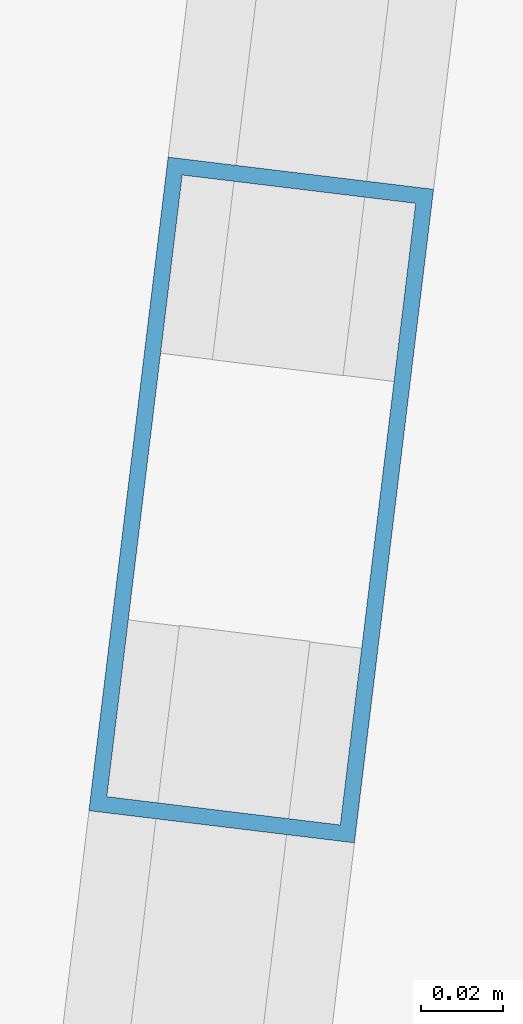
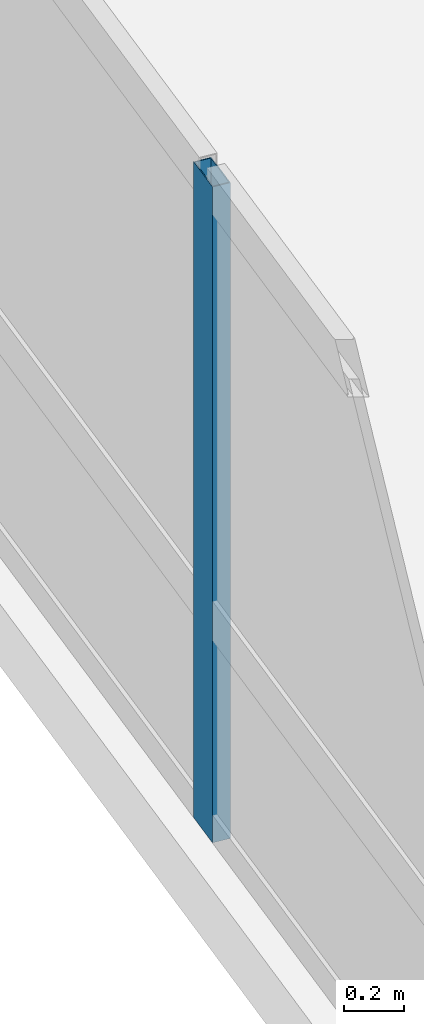
# One storey, part 4 of 26: 1 member, 1 element without a shape of its own.
"""IFC4 building model written with IfcOpenShell, lengths in metres."""

from ifc_helpers import new_model, si_unit, direction, frame, origin, origin_2d, place, context, subcontext, project, spatial, hollow_rectangle, extrude, material, layer, layer_set, material_profile, profile_set, type_object, element, aggregate, save


model = new_model("IFC4")

# Units and contexts
model_context = context("Model", 3, precision=1e-05, world=origin(), true_north=direction((0.0, 1.0)))
body_context = subcontext(model_context, "Body", "Model", "MODEL_VIEW")
ifc_project = project(units=[si_unit("LENGTHUNIT", "METRE"), si_unit("AREAUNIT", "SQUARE_METRE"), si_unit("VOLUMEUNIT", "CUBIC_METRE"), si_unit("PLANEANGLEUNIT", "RADIAN"), si_unit("MASSUNIT", "GRAM", prefix="KILO")], contexts=[model_context])

# Site, building, storey
site_placement = place(None, origin())
site = spatial("IfcSite", under=ifc_project, at=site_placement, CompositionType="ELEMENT")
building_placement = place(site_placement, origin())
building = spatial("IfcBuilding", under=site, at=building_placement, Name="Varnelok Gate Tower", CompositionType="ELEMENT")
storey_placement = place(building_placement, frame((0.0, 0.0, 158.699951171875)))
storey = spatial("IfcBuildingStorey", under=building, at=storey_placement, Name="L40", CompositionType="ELEMENT", Elevation=158.699951171875)

# Curtain wall, member
ifc_material = material(Name="Anodized Aluminum Alloy 6063-T6", Category="aluminium")
ifc_layer = layer(ifc_material, 0.179931640625)
ifc_layer_set = layer_set([ifc_layer], Name="Anodized Aluminum Alloy 6063-T6")
curtain_wall_type = type_object("IfcCurtainWallType", Name="CW3-HOTEL-VISION", PredefinedType="USERDEFINED", material=ifc_layer_set)
curtain_wall_placement = place(storey_placement, origin())
curtain_wall = element("IfcCurtainWall", 1, at=curtain_wall_placement, inside=storey, type_object=curtain_wall_type, Name="L40 West End Vision Curtain Wall", ObjectType="UNITISED CURTAIN WALL", PredefinedType="USERDEFINED")
ifc_material_profile = material_profile(ifc_material, hollow_rectangle(XDim=0.06494140625, YDim=0.159912109375, WallThickness=0.00390625, at=origin_2d()), Name="ALU160X65X4")
ifc_profile_set = profile_set([ifc_material_profile], Name="Anodized Aluminum Alloy 6063-T6")
member_type = type_object("IfcMemberType", Name="CW-MULL-160", PredefinedType="MULLION", material=ifc_profile_set)
member_placement = place(storey_placement, frame((1.109619140625, 19.03857421875, 0.0), z_axis=(0.0, 0.0, 1.0), x_axis=(-0.99273188146, 0.120347046212, 0.0)))
member = element("IfcMember", 2, at=member_placement, type_object=member_type, Name="CW3 mullion 2", PredefinedType="MULLION", context=body_context, shape_type="SweptSolid", body=[
    extrude(hollow_rectangle(XDim=0.06494140625, YDim=0.159912109375, WallThickness=0.00390625, at=origin_2d()), origin(), (0.0, 0.0, 1.0), 2.66015625),
])
aggregate(curtain_wall, [member])

save(model, "model.ifc")
